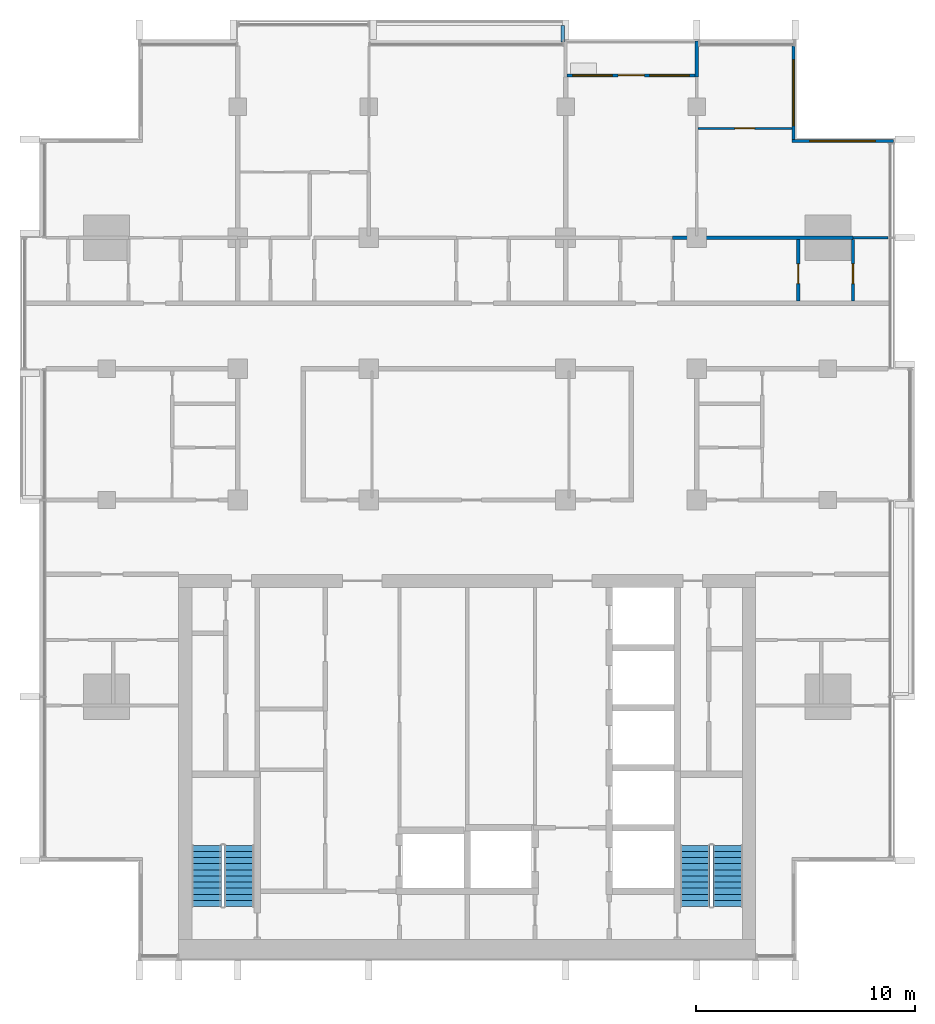
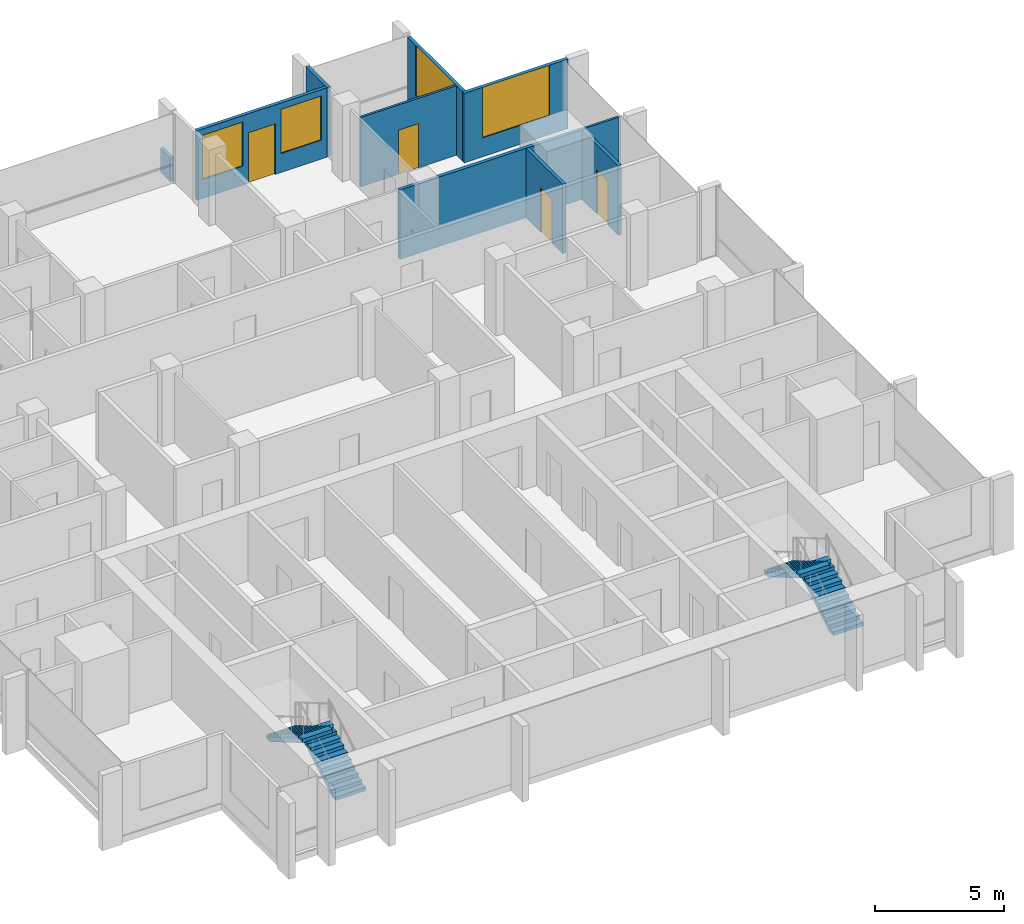
# One storey, part 11 of 16: 10 walls, 4 doors, 4 stair flights, 4 windows, 8 openings, 2 elements without a shape of their own.
"""IFC4 building model written with IfcOpenShell, lengths in metres."""

from ifc_helpers import new_model, si_unit, direction, frame, frame_2d, origin, place, context, subcontext, project, spatial, polyline, rectangle, outline, extrude, material, layer, layer_set, type_object, element, fill, aggregate, save


model = new_model("IFC4")

# Units and contexts
model_context = context("Model", 3, precision=1e-05, world=origin(), true_north=direction((0.0, 1.0)))
body_context = subcontext(model_context, "Body", "Model", "MODEL_VIEW")
ifc_project = project(units=[si_unit("LENGTHUNIT", "METRE"), si_unit("AREAUNIT", "SQUARE_METRE"), si_unit("VOLUMEUNIT", "CUBIC_METRE"), si_unit("PLANEANGLEUNIT", "RADIAN"), si_unit("MASSUNIT", "GRAM", prefix="KILO")], contexts=[model_context])

# Site, building, storey
site_placement = place(None, origin())
site = spatial("IfcSite", under=ifc_project, at=site_placement, CompositionType="ELEMENT")
building_placement = place(site_placement, origin())
building = spatial("IfcBuilding", under=site, at=building_placement, Name="Finial Court Residences", CompositionType="ELEMENT")
storey_placement = place(building_placement, frame((0.0, 0.0, 219.5)))
storey = spatial("IfcBuildingStorey", under=building, at=storey_placement, Name="L55", CompositionType="ELEMENT", Elevation=219.5)

# Wall
ifc_material_1 = material(Name="Gypsum board")
ifc_layer_1 = layer(ifc_material_1, 0.012451171875)
ifc_material_2 = material(Name="Mineral wool in light-gauge frame")
ifc_layer_2 = layer(ifc_material_2, 0.074951171875)
ifc_layer_3 = layer(ifc_material_1, 0.012451171875)
ifc_layer_set_1 = layer_set([ifc_layer_1, ifc_layer_2, ifc_layer_3], Name="Gypsum board partition 100")
wall_type_1 = type_object("IfcWallType", Name="Gypsum board partition 100", PredefinedType="PARTITIONING", material=ifc_layer_set_1)
wall_1_placement = place(storey_placement, frame((17.64990234375, 7.5, 0.0), z_axis=(0.0, 0.0, 1.0), x_axis=(1.0, 0.0, 0.0)))
element("IfcWall", 1, at=wall_1_placement, inside=storey, type_object=wall_type_1, Name="Partition L55-022", PredefinedType="PARTITIONING", context=body_context, shape_type="SweptSolid", body=[
    extrude(rectangle(XDim=1.612548828125, YDim=0.10009765625, at=frame_2d((0.80615234375, 0.0))), origin(), (0.0, 0.0, 1.0), 3.300048828125),
])

# Wall, opening, door
wall_2_placement = place(storey_placement, frame((10.550048828125, 12.5, 0.0), z_axis=(0.0, 0.0, 1.0), x_axis=(1.0, 0.0, 0.0)))
wall_2 = element("IfcWall", 2, at=wall_2_placement, inside=storey, type_object=wall_type_1, Name="Partition L55-031", PredefinedType="PARTITIONING", context=body_context, shape_type="SweptSolid", body=[
    extrude(rectangle(XDim=4.300048828125, YDim=0.10009765625, at=frame_2d((2.14990234375, 0.0))), origin(), (0.0, 0.0, 1.0), 3.300048828125),
])
opening_1_placement = place(wall_2_placement, frame((1.699951171875, 0.0, 0.0)))
opening_1 = element("IfcOpeningElement", 3, at=opening_1_placement, cuts=wall_2, Name="Opening L55-D024", PredefinedType="OPENING", context=body_context, shape_type="SweptSolid", body=[
    extrude(rectangle(XDim=0.89990234375, YDim=2.10009765625, at=frame_2d((0.449951171875, 1.050048828125))), frame((0.0, 0.06005859375, 0.0), z_axis=(0.0, -1.0, 0.0), x_axis=(1.0, 0.0, 0.0)), (0.0, 0.0, 1.0), 0.1201171875),
])
ifc_material_3 = material(Name="Timber door leaf in timber frame", Category="wood")
door_type_1 = type_object("IfcDoorType", Name="Door set 900 x 2100", OperationType="SINGLE_SWING_LEFT", PredefinedType="DOOR", material=ifc_material_3)
door_1_placement = place(opening_1_placement, origin())
door_1 = element("IfcDoor", 4, at=door_1_placement, inside=storey, type_object=door_type_1, Name="Door L55-D024", OperationType="SINGLE_SWING_LEFT", OverallHeight=2.10009765625, OverallWidth=0.89990234375, PredefinedType="DOOR", context=body_context, shape_type="SweptSolid", body=[
    extrude(rectangle(XDim=0.89990234375, YDim=2.10009765625, at=frame_2d((0.449951171875, 1.050048828125))), frame((0.0, 0.02490234375, 0.0), z_axis=(0.0, -1.0, 0.0), x_axis=(1.0, 0.0, 0.0)), (0.0, 0.0, 1.0), 0.050048828125),
])
fill(opening_1, door_1)

# Wall
ifc_material_4 = material(Name="Moisture-resistant gypsum board")
ifc_layer_4 = layer(ifc_material_4, 0.012451171875)
ifc_layer_5 = layer(ifc_material_2, 0.125)
ifc_layer_6 = layer(ifc_material_4, 0.012451171875)
ifc_layer_set_2 = layer_set([ifc_layer_4, ifc_layer_5, ifc_layer_6], Name="Gypsum board wet-area partition 150")
wall_type_2 = type_object("IfcWallType", Name="Gypsum board wet-area partition 150", PredefinedType="PARTITIONING", material=ifc_layer_set_2)
wall_3_placement = place(storey_placement, frame((9.39990234375, 7.5, 0.0), z_axis=(0.0, 0.0, 1.0), x_axis=(1.0, 0.0, 0.0)))
element("IfcWall", 5, at=wall_3_placement, inside=storey, type_object=wall_type_2, Name="Partition L55-028", PredefinedType="PARTITIONING", context=body_context, shape_type="SweptSolid", body=[
    extrude(rectangle(XDim=8.25, YDim=0.14990234375, at=frame_2d((4.125, 0.0))), origin(), (0.0, 0.0, 1.0), 3.300048828125),
])

# Wall, opening, door
wall_4_placement = place(storey_placement, frame((15.14990234375, 4.60009765625, 0.0), z_axis=(0.0, 0.0, 1.0), x_axis=(0.0, 1.0, 0.0)))
wall_4 = element("IfcWall", 6, at=wall_4_placement, inside=storey, type_object=wall_type_2, Name="Partition L55-060", PredefinedType="PARTITIONING", context=body_context, shape_type="SweptSolid", body=[
    extrude(rectangle(XDim=2.824951171875, YDim=0.14990234375, at=frame_2d((1.41259765625, 0.0))), origin(), (0.0, 0.0, 1.0), 3.300048828125),
])
opening_2_placement = place(wall_4_placement, frame((0.800048828125, 0.0, 0.0)))
opening_2 = element("IfcOpeningElement", 7, at=opening_2_placement, cuts=wall_4, Name="Opening L55-D040", PredefinedType="OPENING", context=body_context, shape_type="SweptSolid", body=[
    extrude(rectangle(XDim=0.89990234375, YDim=2.10009765625, at=frame_2d((0.449951171875, 1.050048828125))), frame((0.0, 0.0849609375, 0.0), z_axis=(0.0, -1.0, 0.0), x_axis=(1.0, 0.0, 0.0)), (0.0, 0.0, 1.0), 0.169921875),
])
door_2_placement = place(opening_2_placement, origin())
door_2 = element("IfcDoor", 8, at=door_2_placement, inside=storey, type_object=door_type_1, Name="Door L55-D040", OperationType="SINGLE_SWING_LEFT", OverallHeight=2.10009765625, OverallWidth=0.89990234375, PredefinedType="DOOR", context=body_context, shape_type="SweptSolid", body=[
    extrude(rectangle(XDim=0.89990234375, YDim=2.10009765625, at=frame_2d((0.449951171875, 1.050048828125))), frame((0.0, 0.02490234375, 0.0), z_axis=(0.0, -1.0, 0.0), x_axis=(1.0, 0.0, 0.0)), (0.0, 0.0, 1.0), 0.050048828125),
])
fill(opening_2, door_2)

wall_5_placement = place(storey_placement, frame((17.64990234375, 4.60009765625, 0.0), z_axis=(0.0, 0.0, 1.0), x_axis=(0.0, 1.0, 0.0)))
wall_5 = element("IfcWall", 9, at=wall_5_placement, inside=storey, type_object=wall_type_2, Name="Partition L55-062", PredefinedType="PARTITIONING", context=body_context, shape_type="SweptSolid", body=[
    extrude(rectangle(XDim=2.824951171875, YDim=0.14990234375, at=frame_2d((1.41259765625, 0.0))), origin(), (0.0, 0.0, 1.0), 3.300048828125),
])
opening_3_placement = place(wall_5_placement, frame((0.800048828125, 0.0, 0.0)))
opening_3 = element("IfcOpeningElement", 10, at=opening_3_placement, cuts=wall_5, Name="Opening L55-D041", PredefinedType="OPENING", context=body_context, shape_type="SweptSolid", body=[
    extrude(rectangle(XDim=0.89990234375, YDim=2.10009765625, at=frame_2d((0.449951171875, 1.050048828125))), frame((0.0, 0.0849609375, 0.0), z_axis=(0.0, -1.0, 0.0), x_axis=(1.0, 0.0, 0.0)), (0.0, 0.0, 1.0), 0.169921875),
])
door_3_placement = place(opening_3_placement, origin())
door_3 = element("IfcDoor", 11, at=door_3_placement, inside=storey, type_object=door_type_1, Name="Door L55-D041", OperationType="SINGLE_SWING_LEFT", OverallHeight=2.10009765625, OverallWidth=0.89990234375, PredefinedType="DOOR", context=body_context, shape_type="SweptSolid", body=[
    extrude(rectangle(XDim=0.89990234375, YDim=2.10009765625, at=frame_2d((0.449951171875, 1.050048828125))), frame((0.0, 0.02490234375, 0.0), z_axis=(0.0, -1.0, 0.0), x_axis=(1.0, 0.0, 0.0)), (0.0, 0.0, 1.0), 0.050048828125),
])
fill(opening_3, door_3)

# Wall
ifc_material_5 = material(Name="Concrete C35/45", Category="concrete")
ifc_layer_7 = layer(ifc_material_5, 0.14990234375)
ifc_layer_set_3 = layer_set([ifc_layer_7], Name="Ledge parapet, Concrete C35/45 150")
wall_type_3 = type_object("IfcWallType", Name="Ledge parapet, Concrete C35/45 150", PredefinedType="PARAPET", material=ifc_layer_set_3)
wall_6_placement = place(storey_placement, frame((4.375, 17.199951171875, 0.0), z_axis=(0.0, 0.0, 1.0), x_axis=(0.0, -1.0, 0.0)))
element("IfcWall", 12, at=wall_6_placement, inside=storey, type_object=wall_type_3, Name="E-L55-LED2-P2", PredefinedType="PARAPET", context=body_context, shape_type="SweptSolid", body=[
    extrude(rectangle(XDim=0.75244140625, YDim=0.14990234375, at=frame_2d((0.376220703125, 0.0))), origin(), (0.0, 0.0, 1.0), 1.14990234375),
])

# Wall, opening, window
ifc_material_6 = material(Name="Natural limestone", Category="masonry")
ifc_layer_8 = layer(ifc_material_6, 0.14990234375)
ifc_layer_set_4 = layer_set([ifc_layer_8], Name="Limestone clad wall 150")
wall_type_4 = type_object("IfcWallType", Name="Limestone clad wall 150", PredefinedType="SOLIDWALL", material=ifc_layer_set_4)
wall_7_placement = place(storey_placement, frame((14.925048828125, 16.262451171875, 0.0), z_axis=(0.0, 0.0, 1.0), x_axis=(0.0, -1.0, 0.0)))
wall_7 = element("IfcWall", 13, at=wall_7_placement, inside=storey, type_object=wall_type_4, Name="E-L55-NWE19", PredefinedType="SOLIDWALL", context=body_context, shape_type="SweptSolid", body=[
    extrude(rectangle(XDim=4.262451171875, YDim=0.14990234375, at=frame_2d((2.13134765625, 0.0))), origin(), (0.0, 0.0, 1.0), 3.300048828125),
])
opening_4_placement = place(wall_7_placement, frame((0.631103515625, 0.0, 0.89990234375)))
opening_4 = element("IfcOpeningElement", 14, at=opening_4_placement, cuts=wall_7, Name="Opening WE55-07", PredefinedType="OPENING", context=body_context, shape_type="SweptSolid", body=[
    extrude(rectangle(XDim=3.0, YDim=2.39990234375, at=frame_2d((1.5, 1.199951171875))), frame((0.0, 0.0849609375, 0.0), z_axis=(0.0, -1.0, 0.0), x_axis=(1.0, 0.0, 0.0)), (0.0, 0.0, 1.0), 0.169921875),
])
ifc_material_7 = material(Name="Clear low-e glass", Category="glass")
window_type_1 = type_object("IfcWindowType", Name="Corner window 3000 x 2400", PartitioningType="SINGLE_PANEL", PredefinedType="WINDOW", material=ifc_material_7)
window_1_placement = place(opening_4_placement, origin())
window_1 = element("IfcWindow", 15, at=window_1_placement, inside=storey, type_object=window_type_1, Name="E-L55-NWE19-W1", OverallHeight=2.39990234375, OverallWidth=3.0, PartitioningType="SINGLE_PANEL", PredefinedType="WINDOW", context=body_context, shape_type="SweptSolid", body=[
    extrude(rectangle(XDim=3.0, YDim=2.39990234375, at=frame_2d((1.5, 1.199951171875))), frame((0.0, 0.030029296875, 0.0), z_axis=(0.0, -1.0, 0.0), x_axis=(1.0, 0.0, 0.0)), (0.0, 0.0, 1.0), 0.06005859375),
])
fill(opening_4, window_1)

wall_8_placement = place(storey_placement, frame((14.85009765625, 11.925048828125, 0.0), z_axis=(0.0, 0.0, 1.0), x_axis=(1.0, 0.0, 0.0)))
wall_8 = element("IfcWall", 16, at=wall_8_placement, inside=storey, type_object=wall_type_4, Name="E-L55-NWN20", PredefinedType="SOLIDWALL", context=body_context, shape_type="SweptSolid", body=[
    extrude(rectangle(XDim=4.64990234375, YDim=0.14990234375, at=frame_2d((2.324951171875, 0.0))), origin(), (0.0, 0.0, 1.0), 3.300048828125),
])
opening_5_placement = place(wall_8_placement, frame((0.824951171875, 0.0, 0.89990234375)))
opening_5 = element("IfcOpeningElement", 17, at=opening_5_placement, cuts=wall_8, Name="Opening WE55-08", PredefinedType="OPENING", context=body_context, shape_type="SweptSolid", body=[
    extrude(rectangle(XDim=3.0, YDim=2.39990234375, at=frame_2d((1.5, 1.199951171875))), frame((0.0, 0.0849609375, 0.0), z_axis=(0.0, -1.0, 0.0), x_axis=(1.0, 0.0, 0.0)), (0.0, 0.0, 1.0), 0.169921875),
])
window_2_placement = place(opening_5_placement, origin())
window_2 = element("IfcWindow", 18, at=window_2_placement, inside=storey, type_object=window_type_1, Name="E-L55-NWN20-W1", OverallHeight=2.39990234375, OverallWidth=3.0, PartitioningType="SINGLE_PANEL", PredefinedType="WINDOW", context=body_context, shape_type="SweptSolid", body=[
    extrude(rectangle(XDim=3.0, YDim=2.39990234375, at=frame_2d((1.5, 1.199951171875))), frame((0.0, 0.030029296875, 0.0), z_axis=(0.0, -1.0, 0.0), x_axis=(1.0, 0.0, 0.0)), (0.0, 0.0, 1.0), 0.06005859375),
])
fill(opening_5, window_2)

# Wall
wall_9_placement = place(storey_placement, frame((10.5, 14.85009765625, 0.0), z_axis=(0.0, 0.0, 1.0), x_axis=(0.0, 1.0, 0.0)))
element("IfcWall", 19, at=wall_9_placement, inside=storey, type_object=wall_type_4, Name="E-L55-BALN4-P2", PredefinedType="SOLIDWALL", context=body_context, shape_type="SweptSolid", body=[
    extrude(rectangle(XDim=1.64990234375, YDim=0.14990234375, at=frame_2d((0.824951171875, 0.0))), origin(), (0.0, 0.0, 1.0), 3.300048828125),
])

# Wall, openings, door, windows
wall_10_placement = place(storey_placement, frame((4.574951171875, 14.925048828125, 0.0), z_axis=(0.0, 0.0, 1.0), x_axis=(1.0, 0.0, 0.0)))
wall_10 = element("IfcWall", 20, at=wall_10_placement, inside=storey, type_object=wall_type_4, Name="E-L55-L55-BALN4-W", PredefinedType="SOLIDWALL", context=body_context, shape_type="SweptSolid", body=[
    extrude(rectangle(XDim=5.85009765625, YDim=0.14990234375, at=frame_2d((2.925048828125, 0.0))), origin(), (0.0, 0.0, 1.0), 3.300048828125),
])
opening_6_placement = place(wall_10_placement, frame((2.324951171875, 0.0, 0.0)))
opening_6 = element("IfcOpeningElement", 21, at=opening_6_placement, cuts=wall_10, Name="Opening DE55-01", PredefinedType="OPENING", context=body_context, shape_type="SweptSolid", body=[
    extrude(rectangle(XDim=1.199951171875, YDim=2.39990234375, at=frame_2d((0.60009765625, 1.199951171875))), frame((0.0, 0.0849609375, 0.0), z_axis=(0.0, -1.0, 0.0), x_axis=(1.0, 0.0, 0.0)), (0.0, 0.0, 1.0), 0.169921875),
])
opening_7_placement = place(wall_10_placement, frame((0.262451171875, 0.0, 0.89990234375)))
opening_7 = element("IfcOpeningElement", 22, at=opening_7_placement, cuts=wall_10, Name="Opening WE55-09", PredefinedType="OPENING", context=body_context, shape_type="SweptSolid", body=[
    extrude(rectangle(XDim=1.800048828125, YDim=2.10009765625, at=frame_2d((0.89990234375, 1.050048828125))), frame((0.0, 0.0849609375, 0.0), z_axis=(0.0, -1.0, 0.0), x_axis=(1.0, 0.0, 0.0)), (0.0, 0.0, 1.0), 0.169921875),
])
opening_8_placement = place(wall_10_placement, frame((3.78759765625, 0.0, 0.89990234375)))
opening_8 = element("IfcOpeningElement", 23, at=opening_8_placement, cuts=wall_10, Name="Opening WE55-10", PredefinedType="OPENING", context=body_context, shape_type="SweptSolid", body=[
    extrude(rectangle(XDim=1.800048828125, YDim=2.10009765625, at=frame_2d((0.89990234375, 1.050048828125))), frame((0.0, 0.0849609375, 0.0), z_axis=(0.0, -1.0, 0.0), x_axis=(1.0, 0.0, 0.0)), (0.0, 0.0, 1.0), 0.169921875),
])
ifc_material_8 = material(Name="Bronze anodised aluminium", Category="aluminium")
door_type_2 = type_object("IfcDoorType", Name="Balcony door 1200 x 2400", OperationType="SINGLE_SWING_LEFT", PredefinedType="DOOR", material=ifc_material_8)
door_4_placement = place(opening_6_placement, origin())
door_4 = element("IfcDoor", 24, at=door_4_placement, inside=storey, type_object=door_type_2, Name="E-L55-L55-BALN4-W-D", OperationType="SINGLE_SWING_RIGHT", OverallHeight=2.39990234375, OverallWidth=1.199951171875, PredefinedType="DOOR", context=body_context, shape_type="SweptSolid", body=[
    extrude(rectangle(XDim=1.199951171875, YDim=2.39990234375, at=frame_2d((0.60009765625, 1.199951171875))), frame((0.0, 0.02490234375, 0.0), z_axis=(0.0, -1.0, 0.0), x_axis=(1.0, 0.0, 0.0)), (0.0, 0.0, 1.0), 0.050048828125),
])
fill(opening_6, door_4)
window_type_2 = type_object("IfcWindowType", Name="Balcony window 1800 x 2100", PartitioningType="SINGLE_PANEL", PredefinedType="WINDOW", material=ifc_material_7)
window_3_placement = place(opening_7_placement, origin())
window_3 = element("IfcWindow", 25, at=window_3_placement, inside=storey, type_object=window_type_2, Name="E-L55-L55-BALN4-W-W1", OverallHeight=2.10009765625, OverallWidth=1.800048828125, PartitioningType="SINGLE_PANEL", PredefinedType="WINDOW", context=body_context, shape_type="SweptSolid", body=[
    extrude(rectangle(XDim=1.800048828125, YDim=2.10009765625, at=frame_2d((0.89990234375, 1.050048828125))), frame((0.0, 0.030029296875, 0.0), z_axis=(0.0, -1.0, 0.0), x_axis=(1.0, 0.0, 0.0)), (0.0, 0.0, 1.0), 0.06005859375),
])
fill(opening_7, window_3)
window_4_placement = place(opening_8_placement, origin())
window_4 = element("IfcWindow", 26, at=window_4_placement, inside=storey, type_object=window_type_2, Name="E-L55-L55-BALN4-W-W2", OverallHeight=2.10009765625, OverallWidth=1.800048828125, PartitioningType="SINGLE_PANEL", PredefinedType="WINDOW", context=body_context, shape_type="SweptSolid", body=[
    extrude(rectangle(XDim=1.800048828125, YDim=2.10009765625, at=frame_2d((0.89990234375, 1.050048828125))), frame((0.0, 0.030029296875, 0.0), z_axis=(0.0, -1.0, 0.0), x_axis=(1.0, 0.0, 0.0)), (0.0, 0.0, 1.0), 0.06005859375),
])
fill(opening_8, window_4)

# Stair, stair flights
ifc_material_9 = material(Name="Concrete C50/60", Category="concrete")
stair_type = type_object("IfcStairType", Name="Exit stair 22 risers of 163.6 mm", PredefinedType="HALF_TURN_STAIR", material=ifc_material_9)
stair_1_placement = place(storey_placement, origin())
stair_1 = element("IfcStair", 27, at=stair_1_placement, inside=storey, type_object=stair_type, Name="L55 Exit stair ST-1", PredefinedType="HALF_TURN_STAIR")
stair_flight_type = type_object("IfcStairFlightType", Name="Exit stair flight", PredefinedType="STRAIGHT", material=ifc_material_9)
stair_flight_1_placement = place(storey_placement, frame((-10.425048828125, -23.10009765625, 0.0), z_axis=(0.0, 0.0, 1.0), x_axis=(0.0, 1.0, 0.0)))
stair_flight_1 = element("IfcStairFlight", 28, at=stair_flight_1_placement, type_object=stair_flight_type, Name="ST-1 flight 1", NumberOfRisers=11, NumberOfTreads=10, PredefinedType="STRAIGHT", RiserHeight=0.163636364, TreadLength=0.28, context=body_context, shape_type="SweptSolid", body=[
    extrude(outline(polyline([(0.0, 0.0), (0.0, 0.16357421875), (0.280029296875, 0.16357421875), (0.280029296875, 0.327392578125), (0.56005859375, 0.327392578125), (0.56005859375, 0.490966796875), (0.840087890625, 0.490966796875), (0.840087890625, 0.654541015625), (1.1201171875, 0.654541015625), (1.1201171875, 0.818115234375), (1.39990234375, 0.818115234375), (1.39990234375, 0.98193359375), (1.679931640625, 0.98193359375), (1.679931640625, 1.1455078125), (1.9599609375, 1.1455078125), (1.9599609375, 1.30908203125), (2.239990234375, 1.30908203125), (2.239990234375, 1.47265625), (2.52001953125, 1.47265625), (2.52001953125, 1.636474609375), (2.800048828125, 1.636474609375), (2.800048828125, 1.800048828125), (2.800048828125, 1.462646484375), (0.297119140625, 0.0), (0.0, 0.0)])), frame((0.0, 0.675048828125, 0.0), z_axis=(0.0, -1.0, 0.0), x_axis=(1.0, 0.0, 0.0)), (0.0, 0.0, 1.0), 1.35009765625),
])
stair_flight_2_placement = place(storey_placement, frame((-11.925048828125, -20.300048828125, 1.800048828125), z_axis=(0.0, 0.0, 1.0), x_axis=(0.0, -1.0, 0.0)))
stair_flight_2 = element("IfcStairFlight", 29, at=stair_flight_2_placement, type_object=stair_flight_type, Name="ST-1 flight 2", NumberOfRisers=11, NumberOfTreads=10, PredefinedType="STRAIGHT", RiserHeight=0.163636364, TreadLength=0.28, context=body_context, shape_type="SweptSolid", body=[
    extrude(outline(polyline([(0.0, 0.0), (0.0, 0.16357421875), (0.280029296875, 0.16357421875), (0.280029296875, 0.327392578125), (0.56005859375, 0.327392578125), (0.56005859375, 0.490966796875), (0.840087890625, 0.490966796875), (0.840087890625, 0.654541015625), (1.1201171875, 0.654541015625), (1.1201171875, 0.818115234375), (1.39990234375, 0.818115234375), (1.39990234375, 0.98193359375), (1.679931640625, 0.98193359375), (1.679931640625, 1.1455078125), (1.9599609375, 1.1455078125), (1.9599609375, 1.30908203125), (2.239990234375, 1.30908203125), (2.239990234375, 1.47265625), (2.52001953125, 1.47265625), (2.52001953125, 1.636474609375), (2.800048828125, 1.636474609375), (2.800048828125, 1.800048828125), (2.800048828125, 1.462646484375), (0.297119140625, 0.0), (0.0, 0.0)])), frame((0.0, 0.675048828125, 0.0), z_axis=(0.0, -1.0, 0.0), x_axis=(1.0, 0.0, 0.0)), (0.0, 0.0, 1.0), 1.35009765625),
])
aggregate(stair_1, [stair_flight_1, stair_flight_2])

stair_2_placement = place(storey_placement, origin())
stair_2 = element("IfcStair", 30, at=stair_2_placement, inside=storey, type_object=stair_type, Name="L55 Exit stair ST-2", PredefinedType="HALF_TURN_STAIR")
stair_flight_3_placement = place(storey_placement, frame((11.925048828125, -23.10009765625, 0.0), z_axis=(0.0, 0.0, 1.0), x_axis=(0.0, 1.0, 0.0)))
stair_flight_3 = element("IfcStairFlight", 31, at=stair_flight_3_placement, type_object=stair_flight_type, Name="ST-2 flight 1", NumberOfRisers=11, NumberOfTreads=10, PredefinedType="STRAIGHT", RiserHeight=0.163636364, TreadLength=0.28, context=body_context, shape_type="SweptSolid", body=[
    extrude(outline(polyline([(0.0, 0.0), (0.0, 0.16357421875), (0.280029296875, 0.16357421875), (0.280029296875, 0.327392578125), (0.56005859375, 0.327392578125), (0.56005859375, 0.490966796875), (0.840087890625, 0.490966796875), (0.840087890625, 0.654541015625), (1.1201171875, 0.654541015625), (1.1201171875, 0.818115234375), (1.39990234375, 0.818115234375), (1.39990234375, 0.98193359375), (1.679931640625, 0.98193359375), (1.679931640625, 1.1455078125), (1.9599609375, 1.1455078125), (1.9599609375, 1.30908203125), (2.239990234375, 1.30908203125), (2.239990234375, 1.47265625), (2.52001953125, 1.47265625), (2.52001953125, 1.636474609375), (2.800048828125, 1.636474609375), (2.800048828125, 1.800048828125), (2.800048828125, 1.462646484375), (0.297119140625, 0.0), (0.0, 0.0)])), frame((0.0, 0.675048828125, 0.0), z_axis=(0.0, -1.0, 0.0), x_axis=(1.0, 0.0, 0.0)), (0.0, 0.0, 1.0), 1.35009765625),
])
stair_flight_4_placement = place(storey_placement, frame((10.425048828125, -20.300048828125, 1.800048828125), z_axis=(0.0, 0.0, 1.0), x_axis=(0.0, -1.0, 0.0)))
stair_flight_4 = element("IfcStairFlight", 32, at=stair_flight_4_placement, type_object=stair_flight_type, Name="ST-2 flight 2", NumberOfRisers=11, NumberOfTreads=10, PredefinedType="STRAIGHT", RiserHeight=0.163636364, TreadLength=0.28, context=body_context, shape_type="SweptSolid", body=[
    extrude(outline(polyline([(0.0, 0.0), (0.0, 0.16357421875), (0.280029296875, 0.16357421875), (0.280029296875, 0.327392578125), (0.56005859375, 0.327392578125), (0.56005859375, 0.490966796875), (0.840087890625, 0.490966796875), (0.840087890625, 0.654541015625), (1.1201171875, 0.654541015625), (1.1201171875, 0.818115234375), (1.39990234375, 0.818115234375), (1.39990234375, 0.98193359375), (1.679931640625, 0.98193359375), (1.679931640625, 1.1455078125), (1.9599609375, 1.1455078125), (1.9599609375, 1.30908203125), (2.239990234375, 1.30908203125), (2.239990234375, 1.47265625), (2.52001953125, 1.47265625), (2.52001953125, 1.636474609375), (2.800048828125, 1.636474609375), (2.800048828125, 1.800048828125), (2.800048828125, 1.462646484375), (0.297119140625, 0.0), (0.0, 0.0)])), frame((0.0, 0.675048828125, 0.0), z_axis=(0.0, -1.0, 0.0), x_axis=(1.0, 0.0, 0.0)), (0.0, 0.0, 1.0), 1.35009765625),
])
aggregate(stair_2, [stair_flight_3, stair_flight_4])

save(model, "model.ifc")
